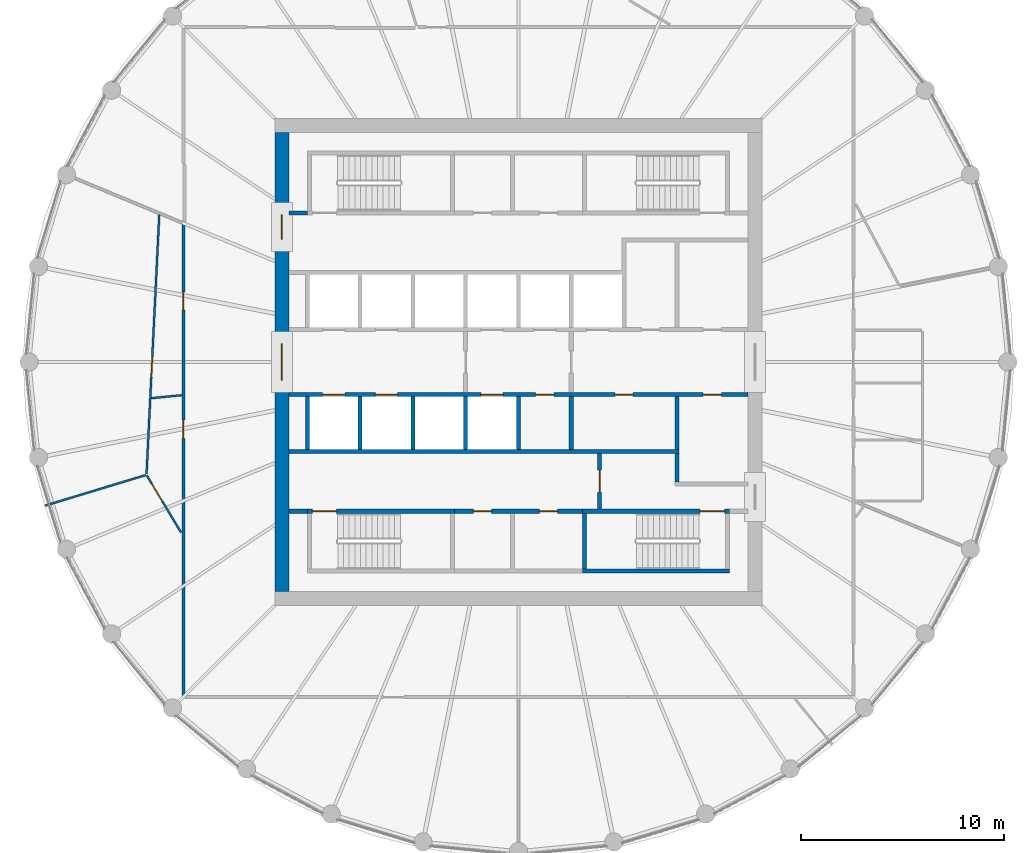
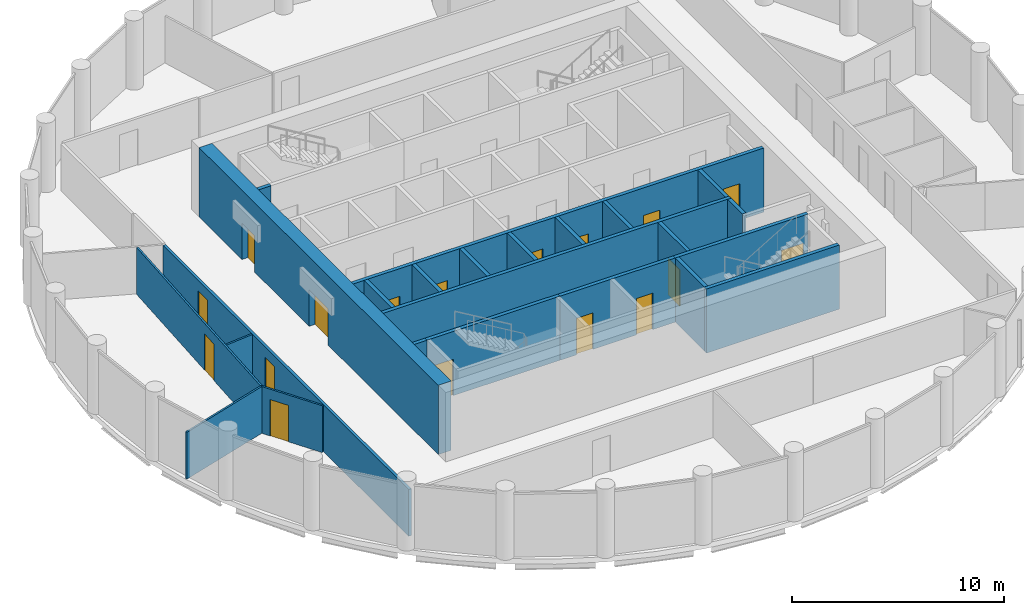
# One storey, part 4 of 7: 24 walls, 17 doors, 17 openings.
"""IFC4 building model written with IfcOpenShell, lengths in metres."""

from ifc_helpers import new_model, si_unit, direction, frame, frame_2d, origin, place, context, subcontext, project, spatial, polyline, rectangle, outline, extrude, material, layer, layer_set, type_object, element, fill, save


model = new_model("IFC4")

# Units and contexts
model_context = context("Model", 3, precision=1e-05, world=origin(), true_north=direction((0.0, 1.0)))
body_context = subcontext(model_context, "Body", "Model", "MODEL_VIEW")
ifc_project = project(units=[si_unit("LENGTHUNIT", "METRE"), si_unit("AREAUNIT", "SQUARE_METRE"), si_unit("VOLUMEUNIT", "CUBIC_METRE"), si_unit("PLANEANGLEUNIT", "RADIAN"), si_unit("MASSUNIT", "GRAM", prefix="KILO")], contexts=[model_context])

# Site, building, storey
site_placement = place(None, origin())
site = spatial("IfcSite", under=ifc_project, at=site_placement, CompositionType="ELEMENT")
building_placement = place(site_placement, origin())
building = spatial("IfcBuilding", under=site, at=building_placement, Name="Corvane Civic Tower", CompositionType="ELEMENT")
storey_placement = place(building_placement, frame((0.0, 0.0, 307.0)))
storey = spatial("IfcBuildingStorey", under=building, at=storey_placement, Name="L73", CompositionType="ELEMENT", Elevation=307.0)

# Wall, openings, doors
ifc_material_1 = material(Name="Concrete C40/50", Category="concrete")
ifc_layer_1 = layer(ifc_material_1, 0.699951171875)
ifc_layer_set_1 = layer_set([ifc_layer_1], Name="Concrete C40/50")
wall_type_1 = type_object("IfcWallType", Name="CORE WALL 700 C40/50", PredefinedType="SHEAR", material=ifc_layer_set_1)
wall_1_placement = place(storey_placement, frame((-11.64990234375, -11.300048828125, 0.0), z_axis=(0.0, 0.0, 1.0), x_axis=(0.0, 1.0, 0.0)))
wall_1 = element("IfcWall", 1, at=wall_1_placement, inside=storey, type_object=wall_type_1, Name="W-L73-core-W", PredefinedType="SHEAR", context=body_context, shape_type="SweptSolid", body=[
    extrude(rectangle(XDim=22.60009765625, YDim=0.699951171875, at=frame_2d((11.300048828125, 0.0))), origin(), (0.0, 0.0, 1.0), 4.0),
])
opening_1_placement = place(wall_1_placement, frame((10.39990234375, 0.0, 0.0)))
opening_1 = element("IfcOpeningElement", 2, at=opening_1_placement, cuts=wall_1, Name="Opening L73.C17", PredefinedType="OPENING", context=body_context, shape_type="SweptSolid", body=[
    extrude(rectangle(XDim=1.800048828125, YDim=2.10009765625, at=frame_2d((0.89990234375, 1.050048828125))), frame((0.0, 0.35986328125, 0.0), z_axis=(0.0, -1.0, 0.0), x_axis=(1.0, 0.0, 0.0)), (0.0, 0.0, 1.0), 0.719970703125),
])
opening_2_placement = place(wall_1_placement, frame((17.35009765625, 0.0, 0.0)))
opening_2 = element("IfcOpeningElement", 3, at=opening_2_placement, cuts=wall_1, Name="Opening L73.C19", PredefinedType="OPENING", context=body_context, shape_type="SweptSolid", body=[
    extrude(rectangle(XDim=1.199951171875, YDim=2.10009765625, at=frame_2d((0.60009765625, 1.050048828125))), frame((0.0, 0.35986328125, 0.0), z_axis=(0.0, -1.0, 0.0), x_axis=(1.0, 0.0, 0.0)), (0.0, 0.0, 1.0), 0.719970703125),
])
ifc_material_2 = material(Name="Steel fire door leaf", Category="steel")
door_type_1 = type_object("IfcDoorType", Name="CR-DOOR-CORE-1800", OperationType="DOUBLE_DOOR_SINGLE_SWING", PredefinedType="DOOR", material=ifc_material_2)
door_1_placement = place(opening_1_placement, origin())
door_1 = element("IfcDoor", 4, at=door_1_placement, inside=storey, type_object=door_type_1, Name="L73 door", OperationType="DOUBLE_DOOR_SINGLE_SWING", OverallHeight=2.10009765625, OverallWidth=1.800048828125, PredefinedType="DOOR", context=body_context, shape_type="SweptSolid", body=[
    extrude(rectangle(XDim=1.800048828125, YDim=2.10009765625, at=frame_2d((0.89990234375, 1.050048828125))), frame((0.0, 0.02490234375, 0.0), z_axis=(0.0, -1.0, 0.0), x_axis=(1.0, 0.0, 0.0)), (0.0, 0.0, 1.0), 0.050048828125),
])
fill(opening_1, door_1)
door_2_placement = place(opening_2_placement, origin())
door_2 = element("IfcDoor", 5, at=door_2_placement, inside=storey, type_object=door_type_1, Name="L73 door", OperationType="DOUBLE_DOOR_SINGLE_SWING", OverallHeight=2.10009765625, OverallWidth=1.199951171875, PredefinedType="DOOR", context=body_context, shape_type="SweptSolid", body=[
    extrude(rectangle(XDim=1.199951171875, YDim=2.10009765625, at=frame_2d((0.60009765625, 1.050048828125))), frame((0.0, 0.02490234375, 0.0), z_axis=(0.0, -1.0, 0.0), x_axis=(1.0, 0.0, 0.0)), (0.0, 0.0, 1.0), 0.050048828125),
])
fill(opening_2, door_2)

ifc_material_3 = material(Name="Concrete C30/37", Category="concrete")
ifc_layer_2 = layer(ifc_material_3, 0.199951171875)
ifc_layer_set_2 = layer_set([ifc_layer_2], Name="Concrete C30/37")
wall_type_2 = type_object("IfcWallType", Name="CR-WALL-200", PredefinedType="PARTITIONING", material=ifc_layer_set_2)
wall_2_placement = place(storey_placement, frame((-3.14990234375, -7.35009765625, 0.0), z_axis=(0.0, 0.0, 1.0), x_axis=(1.0, 0.0, 0.0)))
wall_2 = element("IfcWall", 6, at=wall_2_placement, inside=storey, type_object=wall_type_2, Name="L73 core partition wall", PredefinedType="PARTITIONING", context=body_context, shape_type="SweptSolid", body=[
    extrude(rectangle(XDim=6.2998046875, YDim=0.199951171875, at=frame_2d((3.14990234375, 0.0))), origin(), (0.0, 0.0, 1.0), 3.699951171875),
])
opening_3_placement = place(wall_2_placement, frame((0.925048828125, 0.0, 0.0)))
opening_3 = element("IfcOpeningElement", 7, at=opening_3_placement, cuts=wall_2, Name="Opening L73.C08", PredefinedType="OPENING", context=body_context, shape_type="SweptSolid", body=[
    extrude(rectangle(XDim=0.89990234375, YDim=2.10009765625, at=frame_2d((0.449951171875, 1.050048828125))), frame((0.0, 0.10986328125, 0.0), z_axis=(0.0, -1.0, 0.0), x_axis=(1.0, 0.0, 0.0)), (0.0, 0.0, 1.0), 0.219970703125),
])
opening_4_placement = place(wall_2_placement, frame((4.175048828125, 0.0, 0.0)))
opening_4 = element("IfcOpeningElement", 8, at=opening_4_placement, cuts=wall_2, Name="Opening L73.C09", PredefinedType="OPENING", context=body_context, shape_type="SweptSolid", body=[
    extrude(rectangle(XDim=0.89990234375, YDim=2.10009765625, at=frame_2d((0.449951171875, 1.050048828125))), frame((0.0, 0.10986328125, 0.0), z_axis=(0.0, -1.0, 0.0), x_axis=(1.0, 0.0, 0.0)), (0.0, 0.0, 1.0), 0.219970703125),
])
ifc_material_4 = material(Name="Steel fire door leaf", Category="steel")
door_type_2 = type_object("IfcDoorType", Name="CR-DOOR-900", OperationType="SINGLE_SWING_LEFT", PredefinedType="DOOR", material=ifc_material_4)
door_3_placement = place(opening_3_placement, origin())
door_3 = element("IfcDoor", 9, at=door_3_placement, inside=storey, type_object=door_type_2, Name="L73 door", OperationType="SINGLE_SWING_LEFT", OverallHeight=2.10009765625, OverallWidth=0.89990234375, PredefinedType="DOOR", context=body_context, shape_type="SweptSolid", body=[
    extrude(rectangle(XDim=0.89990234375, YDim=2.10009765625, at=frame_2d((0.449951171875, 1.050048828125))), frame((0.0, 0.02490234375, 0.0), z_axis=(0.0, -1.0, 0.0), x_axis=(1.0, 0.0, 0.0)), (0.0, 0.0, 1.0), 0.050048828125),
])
fill(opening_3, door_3)
door_4_placement = place(opening_4_placement, origin())
door_4 = element("IfcDoor", 10, at=door_4_placement, inside=storey, type_object=door_type_2, Name="L73 door", OperationType="SINGLE_SWING_LEFT", OverallHeight=2.10009765625, OverallWidth=0.89990234375, PredefinedType="DOOR", context=body_context, shape_type="SweptSolid", body=[
    extrude(rectangle(XDim=0.89990234375, YDim=2.10009765625, at=frame_2d((0.449951171875, 1.050048828125))), frame((0.0, 0.02490234375, 0.0), z_axis=(0.0, -1.0, 0.0), x_axis=(1.0, 0.0, 0.0)), (0.0, 0.0, 1.0), 0.050048828125),
])
fill(opening_4, door_4)

wall_3_placement = place(storey_placement, frame((-11.300048828125, -1.60009765625, 0.0), z_axis=(0.0, 0.0, 1.0), x_axis=(1.0, 0.0, 0.0)))
wall_3 = element("IfcWall", 11, at=wall_3_placement, inside=storey, type_object=wall_type_2, Name="L73 lift shaft wall", PredefinedType="PARTITIONING", context=body_context, shape_type="SweptSolid", body=[
    extrude(rectangle(XDim=22.60009765625, YDim=0.199951171875, at=frame_2d((11.300048828125, 0.0))), origin(), (0.0, 0.0, 1.0), 3.699951171875),
])
opening_5_placement = place(wall_3_placement, frame((1.64990234375, 0.0, 0.0)))
opening_5 = element("IfcOpeningElement", 12, at=opening_5_placement, cuts=wall_3, Name="Opening LD", PredefinedType="OPENING", context=body_context, shape_type="SweptSolid", body=[
    extrude(rectangle(XDim=1.10009765625, YDim=2.10009765625, at=frame_2d((0.550048828125, 1.050048828125))), frame((0.0, 0.10986328125, 0.0), z_axis=(0.0, -1.0, 0.0), x_axis=(1.0, 0.0, 0.0)), (0.0, 0.0, 1.0), 0.219970703125),
])
opening_6_placement = place(wall_3_placement, frame((4.25, 0.0, 0.0)))
opening_6 = element("IfcOpeningElement", 13, at=opening_6_placement, cuts=wall_3, Name="Opening LD", PredefinedType="OPENING", context=body_context, shape_type="SweptSolid", body=[
    extrude(rectangle(XDim=1.10009765625, YDim=2.10009765625, at=frame_2d((0.550048828125, 1.050048828125))), frame((0.0, 0.10986328125, 0.0), z_axis=(0.0, -1.0, 0.0), x_axis=(1.0, 0.0, 0.0)), (0.0, 0.0, 1.0), 0.219970703125),
])
opening_7_placement = place(wall_3_placement, frame((9.449951171875, 0.0, 0.0)))
opening_7 = element("IfcOpeningElement", 14, at=opening_7_placement, cuts=wall_3, Name="Opening LD", PredefinedType="OPENING", context=body_context, shape_type="SweptSolid", body=[
    extrude(rectangle(XDim=1.10009765625, YDim=2.10009765625, at=frame_2d((0.550048828125, 1.050048828125))), frame((0.0, 0.10986328125, 0.0), z_axis=(0.0, -1.0, 0.0), x_axis=(1.0, 0.0, 0.0)), (0.0, 0.0, 1.0), 0.219970703125),
])
opening_8_placement = place(wall_3_placement, frame((12.14990234375, 0.0, 0.0)))
opening_8 = element("IfcOpeningElement", 15, at=opening_8_placement, cuts=wall_3, Name="Opening L73.C03", PredefinedType="OPENING", context=body_context, shape_type="SweptSolid", body=[
    extrude(rectangle(XDim=0.89990234375, YDim=2.10009765625, at=frame_2d((0.449951171875, 1.050048828125))), frame((0.0, 0.10986328125, 0.0), z_axis=(0.0, -1.0, 0.0), x_axis=(1.0, 0.0, 0.0)), (0.0, 0.0, 1.0), 0.219970703125),
])
opening_9_placement = place(wall_3_placement, frame((16.050048828125, 0.0, 0.0)))
opening_9 = element("IfcOpeningElement", 16, at=opening_9_placement, cuts=wall_3, Name="Opening L73.C04", PredefinedType="OPENING", context=body_context, shape_type="SweptSolid", body=[
    extrude(rectangle(XDim=0.89990234375, YDim=2.10009765625, at=frame_2d((0.449951171875, 1.050048828125))), frame((0.0, 0.10986328125, 0.0), z_axis=(0.0, -1.0, 0.0), x_axis=(1.0, 0.0, 0.0)), (0.0, 0.0, 1.0), 0.219970703125),
])
opening_10_placement = place(wall_3_placement, frame((20.39990234375, 0.0, 0.0)))
opening_10 = element("IfcOpeningElement", 17, at=opening_10_placement, cuts=wall_3, Name="Opening L73.C05", PredefinedType="OPENING", context=body_context, shape_type="SweptSolid", body=[
    extrude(rectangle(XDim=0.89990234375, YDim=2.10009765625, at=frame_2d((0.449951171875, 1.050048828125))), frame((0.0, 0.10986328125, 0.0), z_axis=(0.0, -1.0, 0.0), x_axis=(1.0, 0.0, 0.0)), (0.0, 0.0, 1.0), 0.219970703125),
])
door_5_placement = place(opening_8_placement, origin())
door_5 = element("IfcDoor", 18, at=door_5_placement, inside=storey, type_object=door_type_2, Name="L73 door", OperationType="SINGLE_SWING_LEFT", OverallHeight=2.10009765625, OverallWidth=0.89990234375, PredefinedType="DOOR", context=body_context, shape_type="SweptSolid", body=[
    extrude(rectangle(XDim=0.89990234375, YDim=2.10009765625, at=frame_2d((0.449951171875, 1.050048828125))), frame((0.0, 0.02490234375, 0.0), z_axis=(0.0, -1.0, 0.0), x_axis=(1.0, 0.0, 0.0)), (0.0, 0.0, 1.0), 0.050048828125),
])
fill(opening_8, door_5)
door_6_placement = place(opening_9_placement, origin())
door_6 = element("IfcDoor", 19, at=door_6_placement, inside=storey, type_object=door_type_2, Name="L73 door", OperationType="SINGLE_SWING_LEFT", OverallHeight=2.10009765625, OverallWidth=0.89990234375, PredefinedType="DOOR", context=body_context, shape_type="SweptSolid", body=[
    extrude(rectangle(XDim=0.89990234375, YDim=2.10009765625, at=frame_2d((0.449951171875, 1.050048828125))), frame((0.0, 0.02490234375, 0.0), z_axis=(0.0, -1.0, 0.0), x_axis=(1.0, 0.0, 0.0)), (0.0, 0.0, 1.0), 0.050048828125),
])
fill(opening_9, door_6)
door_7_placement = place(opening_10_placement, origin())
door_7 = element("IfcDoor", 20, at=door_7_placement, inside=storey, type_object=door_type_2, Name="L73 door", OperationType="SINGLE_SWING_LEFT", OverallHeight=2.10009765625, OverallWidth=0.89990234375, PredefinedType="DOOR", context=body_context, shape_type="SweptSolid", body=[
    extrude(rectangle(XDim=0.89990234375, YDim=2.10009765625, at=frame_2d((0.449951171875, 1.050048828125))), frame((0.0, 0.02490234375, 0.0), z_axis=(0.0, -1.0, 0.0), x_axis=(1.0, 0.0, 0.0)), (0.0, 0.0, 1.0), 0.050048828125),
])
fill(opening_10, door_7)
ifc_material_5 = material(Name="Stainless steel 316 door leaves", Category="steel")
door_type_3 = type_object("IfcDoorType", Name="LD", OperationType="DOUBLE_DOOR_SLIDING", PredefinedType="DOOR", material=ifc_material_5)
door_8_placement = place(opening_5_placement, origin())
door_8 = element("IfcDoor", 21, at=door_8_placement, inside=storey, type_object=door_type_3, Name="L73 landing door", OperationType="DOUBLE_DOOR_SLIDING", OverallHeight=2.10009765625, OverallWidth=1.10009765625, PredefinedType="DOOR", context=body_context, shape_type="SweptSolid", body=[
    extrude(rectangle(XDim=1.10009765625, YDim=2.10009765625, at=frame_2d((0.550048828125, 1.050048828125))), frame((0.0, 0.02490234375, 0.0), z_axis=(0.0, -1.0, 0.0), x_axis=(1.0, 0.0, 0.0)), (0.0, 0.0, 1.0), 0.050048828125),
])
fill(opening_5, door_8)
door_9_placement = place(opening_6_placement, origin())
door_9 = element("IfcDoor", 22, at=door_9_placement, inside=storey, type_object=door_type_3, Name="L73 landing door", OperationType="DOUBLE_DOOR_SLIDING", OverallHeight=2.10009765625, OverallWidth=1.10009765625, PredefinedType="DOOR", context=body_context, shape_type="SweptSolid", body=[
    extrude(rectangle(XDim=1.10009765625, YDim=2.10009765625, at=frame_2d((0.550048828125, 1.050048828125))), frame((0.0, 0.02490234375, 0.0), z_axis=(0.0, -1.0, 0.0), x_axis=(1.0, 0.0, 0.0)), (0.0, 0.0, 1.0), 0.050048828125),
])
fill(opening_6, door_9)
door_10_placement = place(opening_7_placement, origin())
door_10 = element("IfcDoor", 23, at=door_10_placement, inside=storey, type_object=door_type_3, Name="L73 landing door", OperationType="DOUBLE_DOOR_SLIDING", OverallHeight=2.10009765625, OverallWidth=1.10009765625, PredefinedType="DOOR", context=body_context, shape_type="SweptSolid", body=[
    extrude(rectangle(XDim=1.10009765625, YDim=2.10009765625, at=frame_2d((0.550048828125, 1.050048828125))), frame((0.0, 0.02490234375, 0.0), z_axis=(0.0, -1.0, 0.0), x_axis=(1.0, 0.0, 0.0)), (0.0, 0.0, 1.0), 0.050048828125),
])
fill(opening_7, door_10)

# Wall, opening, door
wall_4_placement = place(storey_placement, frame((4.0, -7.25, 0.0), z_axis=(0.0, 0.0, 1.0), x_axis=(0.0, 1.0, 0.0)))
wall_4 = element("IfcWall", 24, at=wall_4_placement, inside=storey, type_object=wall_type_2, Name="L73 core partition wall", PredefinedType="PARTITIONING", context=body_context, shape_type="SweptSolid", body=[
    extrude(rectangle(XDim=2.75, YDim=0.199951171875, at=frame_2d((1.375, 0.0))), origin(), (0.0, 0.0, 1.0), 3.699951171875),
])
opening_11_placement = place(wall_4_placement, frame((0.824951171875, 0.0, 0.0)))
opening_11 = element("IfcOpeningElement", 25, at=opening_11_placement, cuts=wall_4, Name="Opening L73.C16", PredefinedType="OPENING", context=body_context, shape_type="SweptSolid", body=[
    extrude(rectangle(XDim=1.10009765625, YDim=2.10009765625, at=frame_2d((0.550048828125, 1.050048828125))), frame((0.0, 0.10986328125, 0.0), z_axis=(0.0, -1.0, 0.0), x_axis=(1.0, 0.0, 0.0)), (0.0, 0.0, 1.0), 0.219970703125),
])
ifc_material_6 = material(Name="Steel fire door leaf", Category="steel")
door_type_4 = type_object("IfcDoorType", Name="CR-DOOR-FFL-1100", OperationType="SINGLE_SWING_LEFT", PredefinedType="DOOR", material=ifc_material_6)
door_11_placement = place(opening_11_placement, origin())
door_11 = element("IfcDoor", 26, at=door_11_placement, inside=storey, type_object=door_type_4, Name="L73 lobby door", OperationType="SINGLE_SWING_LEFT", OverallHeight=2.10009765625, OverallWidth=1.10009765625, PredefinedType="DOOR", context=body_context, shape_type="SweptSolid", body=[
    extrude(rectangle(XDim=1.10009765625, YDim=2.10009765625, at=frame_2d((0.550048828125, 1.050048828125))), frame((0.0, 0.02490234375, 0.0), z_axis=(0.0, -1.0, 0.0), x_axis=(1.0, 0.0, 0.0)), (0.0, 0.0, 1.0), 0.050048828125),
])
fill(opening_11, door_11)

# Walls
wall_5_placement = place(storey_placement, origin())
element("IfcWall", 27, at=wall_5_placement, inside=storey, type_object=wall_type_2, Name="L73 core partition wall", PredefinedType="PARTITIONING", context=body_context, shape_type="SweptSolid", body=[
    extrude(outline(polyline([(7.89990234375, -4.300048828125), (7.89990234375, -4.5), (-11.300048828125, -4.5), (-11.300048828125, -4.300048828125), (7.89990234375, -4.300048828125)])), origin(), (0.0, 0.0, 1.0), 3.699951171875),
])
wall_6_placement = place(storey_placement, origin())
element("IfcWall", 28, at=wall_6_placement, inside=storey, type_object=wall_type_2, Name="L73 core partition wall", PredefinedType="PARTITIONING", context=body_context, shape_type="SweptSolid", body=[
    extrude(outline(polyline([(-2.5, -1.699951171875), (-2.5, -4.2998046875), (-2.699951171875, -4.2998046875), (-2.699951171875, -1.699951171875), (-2.5, -1.699951171875)])), origin(), (0.0, 0.0, 1.0), 3.699951171875),
])
wall_7_placement = place(storey_placement, origin())
element("IfcWall", 29, at=wall_7_placement, inside=storey, type_object=wall_type_2, Name="L73 core partition wall", PredefinedType="PARTITIONING", context=body_context, shape_type="SweptSolid", body=[
    extrude(outline(polyline([(2.699951171875, -1.699951171875), (2.699951171875, -4.2998046875), (2.5, -4.2998046875), (2.5, -1.699951171875), (2.699951171875, -1.699951171875)])), origin(), (0.0, 0.0, 1.0), 3.699951171875),
])
wall_8_placement = place(storey_placement, origin())
element("IfcWall", 30, at=wall_8_placement, inside=storey, type_object=wall_type_2, Name="L73 core partition wall", PredefinedType="PARTITIONING", context=body_context, shape_type="SweptSolid", body=[
    extrude(outline(polyline([(0.10009765625, -1.699951171875), (0.10009765625, -4.2998046875), (-0.10009765625, -4.2998046875), (-0.10009765625, -1.699951171875), (0.10009765625, -1.699951171875)])), origin(), (0.0, 0.0, 1.0), 3.699951171875),
])
wall_9_placement = place(storey_placement, origin())
element("IfcWall", 31, at=wall_9_placement, inside=storey, type_object=wall_type_2, Name="L73 core partition wall", PredefinedType="PARTITIONING", context=body_context, shape_type="SweptSolid", body=[
    extrude(outline(polyline([(-10.300048828125, -1.699951171875), (-10.300048828125, -4.2998046875), (-10.5, -4.2998046875), (-10.5, -1.699951171875), (-10.300048828125, -1.699951171875)])), origin(), (0.0, 0.0, 1.0), 3.699951171875),
])
wall_10_placement = place(storey_placement, origin())
element("IfcWall", 32, at=wall_10_placement, inside=storey, type_object=wall_type_2, Name="L73 core partition wall", PredefinedType="PARTITIONING", context=body_context, shape_type="SweptSolid", body=[
    extrude(outline(polyline([(-7.699951171875, -1.699951171875), (-7.699951171875, -4.2998046875), (-7.89990234375, -4.2998046875), (-7.89990234375, -1.699951171875), (-7.699951171875, -1.699951171875)])), origin(), (0.0, 0.0, 1.0), 3.699951171875),
])
wall_11_placement = place(storey_placement, origin())
element("IfcWall", 33, at=wall_11_placement, inside=storey, type_object=wall_type_2, Name="L73 core partition wall", PredefinedType="PARTITIONING", context=body_context, shape_type="SweptSolid", body=[
    extrude(outline(polyline([(-5.10009765625, -1.699951171875), (-5.10009765625, -4.2998046875), (-5.300048828125, -4.2998046875), (-5.300048828125, -1.699951171875), (-5.10009765625, -1.699951171875)])), origin(), (0.0, 0.0, 1.0), 3.699951171875),
])
wall_12_placement = place(storey_placement, origin())
element("IfcWall", 34, at=wall_12_placement, inside=storey, type_object=wall_type_2, Name="L73 core partition wall", PredefinedType="PARTITIONING", context=body_context, shape_type="SweptSolid", body=[
    extrude(outline(polyline([(7.89990234375, -1.699951171875), (7.89990234375, -4.2998046875), (7.699951171875, -4.2998046875), (7.699951171875, -1.699951171875), (7.89990234375, -1.699951171875)])), origin(), (0.0, 0.0, 1.0), 3.699951171875),
])
wall_13_placement = place(storey_placement, origin())
element("IfcWall", 35, at=wall_13_placement, inside=storey, type_object=wall_type_2, Name="L73 core partition wall", PredefinedType="PARTITIONING", context=body_context, shape_type="SweptSolid", body=[
    extrude(outline(polyline([(7.89990234375, -5.89990234375), (7.699951171875, -5.89990234375), (7.699951171875, -4.5), (7.89990234375, -4.5), (7.89990234375, -5.89990234375)])), origin(), (0.0, 0.0, 1.0), 3.699951171875),
])
wall_14_placement = place(storey_placement, origin())
element("IfcWall", 36, at=wall_14_placement, inside=storey, type_object=wall_type_2, Name="L73 core partition wall", PredefinedType="PARTITIONING", context=body_context, shape_type="SweptSolid", body=[
    extrude(outline(polyline([(-10.39990234375, -7.449951171875), (-11.300048828125, -7.449951171875), (-11.300048828125, -7.25), (-10.39990234375, -7.25), (-10.39990234375, -7.449951171875)])), origin(), (0.0, 0.0, 1.0), 3.699951171875),
])
wall_15_placement = place(storey_placement, origin())
element("IfcWall", 37, at=wall_15_placement, inside=storey, type_object=wall_type_2, Name="L73 core partition wall", PredefinedType="PARTITIONING", context=body_context, shape_type="SweptSolid", body=[
    extrude(outline(polyline([(-10.39990234375, 7.25), (-11.300048828125, 7.25), (-11.300048828125, 7.449951171875), (-10.39990234375, 7.449951171875), (-10.39990234375, 7.25)])), origin(), (0.0, 0.0, 1.0), 3.699951171875),
])

# Wall, opening, door
ifc_material_7 = material(Name="Plasterboard")
ifc_layer_3 = layer(ifc_material_7, 0.10009765625)
ifc_layer_set_3 = layer_set([ifc_layer_3], Name="Plasterboard")
wall_type_3 = type_object("IfcWallType", Name="Partition 100 plasterboard on studs", PredefinedType="PARTITIONING", material=ifc_layer_set_3)
wall_16_placement = place(storey_placement, frame((-18.299560546875, -5.5908203125, 0.0), z_axis=(0.0, 0.0, 1.0), x_axis=(0.514100563047, -0.857729917325, 0.0)))
wall_16 = element("IfcWall", 38, at=wall_16_placement, inside=storey, type_object=wall_type_3, Name="Partition L73.008", PredefinedType="PARTITIONING", context=body_context, shape_type="SweptSolid", body=[
    extrude(rectangle(XDim=3.27099609375, YDim=0.10009765625, at=frame_2d((1.635498046875, 0.0))), origin(), (0.0, 0.0, 1.0), 2.699951171875),
])
opening_12_placement = place(wall_16_placement, frame((0.454833984375, 0.0, 0.0)))
opening_12 = element("IfcOpeningElement", 39, at=opening_12_placement, cuts=wall_16, Name="Opening L73.004", PredefinedType="OPENING", context=body_context, shape_type="SweptSolid", body=[
    extrude(rectangle(XDim=1.0, YDim=2.10009765625, at=frame_2d((0.5, 1.050048828125))), frame((0.0, 0.06005859375, 0.0), z_axis=(0.0, -1.0, 0.0), x_axis=(1.0, 0.0, 0.0)), (0.0, 0.0, 1.0), 0.1201171875),
])
ifc_material_8 = material(Name="Timber", Category="wood")
door_type_5 = type_object("IfcDoorType", Name="Single door 1000", OperationType="NOTDEFINED", PredefinedType="DOOR", material=ifc_material_8)
door_12_placement = place(opening_12_placement, frame((1.0, 0.0, 0.0), z_axis=(0.0, 0.0, 1.0), x_axis=(-1.0, 0.0, 0.0)))
door_12 = element("IfcDoor", 40, at=door_12_placement, inside=storey, type_object=door_type_5, Name="Door L73.004", OperationType="SINGLE_SWING_LEFT", OverallHeight=2.10009765625, OverallWidth=1.0, PredefinedType="DOOR", context=body_context, shape_type="SweptSolid", body=[
    extrude(rectangle(XDim=1.0, YDim=2.10009765625, at=frame_2d((0.5, 1.050048828125))), frame((0.0, 0.02490234375, 0.0), z_axis=(0.0, -1.0, 0.0), x_axis=(1.0, 0.0, 0.0)), (0.0, 0.0, 1.0), 0.050048828125),
])
fill(opening_12, door_12)

# Wall
wall_17_placement = place(storey_placement, frame((-23.3017578125, -7.068603515625, 0.0), z_axis=(0.0, 0.0, 1.0), x_axis=(0.956940122193, 0.290285381197, 0.0)))
element("IfcWall", 41, at=wall_17_placement, inside=storey, type_object=wall_type_3, Name="Partition L73.010", PredefinedType="PARTITIONING", context=body_context, shape_type="SweptSolid", body=[
    extrude(rectangle(XDim=5.167236328125, YDim=0.10009765625, at=frame_2d((2.58349609375, 0.0))), origin(), (0.0, 0.0, 1.0), 2.699951171875),
])

# Wall, opening, door
wall_18_placement = place(storey_placement, frame((-18.31787109375, -5.52197265625, 0.0), z_axis=(0.0, 0.0, 1.0), x_axis=(0.049066652278, 0.998795506415, 0.0)))
wall_18 = element("IfcWall", 42, at=wall_18_placement, inside=storey, type_object=wall_type_3, Name="Partition L73.014", PredefinedType="PARTITIONING", context=body_context, shape_type="SweptSolid", body=[
    extrude(rectangle(XDim=12.79248046875, YDim=0.10009765625, at=frame_2d((6.396240234375, 0.0))), origin(), (0.0, 0.0, 1.0), 2.699951171875),
])
opening_13_placement = place(wall_18_placement, frame((4.78515625, 0.0, 0.0)))
opening_13 = element("IfcOpeningElement", 43, at=opening_13_placement, cuts=wall_18, Name="Opening L73.005", PredefinedType="OPENING", context=body_context, shape_type="SweptSolid", body=[
    extrude(rectangle(XDim=1.0, YDim=2.10009765625, at=frame_2d((0.5, 1.050048828125))), frame((0.0, 0.06005859375, 0.0), z_axis=(0.0, -1.0, 0.0), x_axis=(1.0, 0.0, 0.0)), (0.0, 0.0, 1.0), 0.1201171875),
])
door_13_placement = place(opening_13_placement, origin())
door_13 = element("IfcDoor", 44, at=door_13_placement, inside=storey, type_object=door_type_5, Name="Door L73.005", OperationType="SINGLE_SWING_RIGHT", OverallHeight=2.10009765625, OverallWidth=1.0, PredefinedType="DOOR", context=body_context, shape_type="SweptSolid", body=[
    extrude(rectangle(XDim=1.0, YDim=2.10009765625, at=frame_2d((0.5, 1.050048828125))), frame((0.0, 0.02490234375, 0.0), z_axis=(0.0, -1.0, 0.0), x_axis=(1.0, 0.0, 0.0)), (0.0, 0.0, 1.0), 0.050048828125),
])
fill(opening_13, door_13)

# Wall
wall_19_placement = place(storey_placement, frame((-18.07666015625, -1.780517578125, 0.0), z_axis=(0.0, 0.0, 1.0), x_axis=(0.995182363929, 0.098041126702, 0.0)))
element("IfcWall", 45, at=wall_19_placement, inside=storey, type_object=wall_type_3, Name="Partition L73.016", PredefinedType="PARTITIONING", context=body_context, shape_type="SweptSolid", body=[
    extrude(rectangle(XDim=1.504150390625, YDim=0.10009765625, at=frame_2d((0.751953125, 0.0))), origin(), (0.0, 0.0, 1.0), 2.699951171875),
])

# Wall, opening, door
ifc_material_9 = material(Name="Concrete C50/60", Category="concrete")
ifc_layer_4 = layer(ifc_material_9, 0.199951171875)
ifc_layer_set_4 = layer_set([ifc_layer_4], Name="Concrete C50/60")
wall_type_4 = type_object("IfcWallType", Name="ST-WALL-200", PredefinedType="SHEAR", material=ifc_layer_set_4)
wall_20_placement = place(storey_placement, frame((-10.39990234375, -7.35009765625, 0.0), z_axis=(0.0, 0.0, 1.0), x_axis=(1.0, 0.0, 0.0)))
wall_20 = element("IfcWall", 46, at=wall_20_placement, inside=storey, type_object=wall_type_4, Name="L73 stair enclosure wall", PredefinedType="SHEAR", context=body_context, shape_type="SweptSolid", body=[
    extrude(rectangle(XDim=7.25, YDim=0.199951171875, at=frame_2d((3.625, 0.0))), origin(), (0.0, 0.0, 1.0), 3.699951171875),
])
opening_14_placement = place(wall_20_placement, frame((0.25, 0.0, 0.0)))
opening_14 = element("IfcOpeningElement", 47, at=opening_14_placement, cuts=wall_20, Name="Opening L73.C13", PredefinedType="OPENING", context=body_context, shape_type="SweptSolid", body=[
    extrude(rectangle(XDim=1.199951171875, YDim=2.10009765625, at=frame_2d((0.60009765625, 1.050048828125))), frame((0.0, 0.10986328125, 0.0), z_axis=(0.0, -1.0, 0.0), x_axis=(1.0, 0.0, 0.0)), (0.0, 0.0, 1.0), 0.219970703125),
])
ifc_material_10 = material(Name="Steel fire door leaf", Category="steel")
door_type_6 = type_object("IfcDoorType", Name="ST-DOOR-1200", OperationType="SINGLE_SWING_RIGHT", PredefinedType="DOOR", material=ifc_material_10)
door_14_placement = place(opening_14_placement, origin())
door_14 = element("IfcDoor", 48, at=door_14_placement, inside=storey, type_object=door_type_6, Name="L73 stair door", OperationType="SINGLE_SWING_RIGHT", OverallHeight=2.10009765625, OverallWidth=1.199951171875, PredefinedType="DOOR", context=body_context, shape_type="SweptSolid", body=[
    extrude(rectangle(XDim=1.199951171875, YDim=2.10009765625, at=frame_2d((0.60009765625, 1.050048828125))), frame((0.0, 0.02490234375, 0.0), z_axis=(0.0, -1.0, 0.0), x_axis=(1.0, 0.0, 0.0)), (0.0, 0.0, 1.0), 0.050048828125),
])
fill(opening_14, door_14)

wall_21_placement = place(storey_placement, frame((3.14990234375, -7.35009765625, 0.0), z_axis=(0.0, 0.0, 1.0), x_axis=(1.0, 0.0, 0.0)))
wall_21 = element("IfcWall", 49, at=wall_21_placement, inside=storey, type_object=wall_type_4, Name="L73 stair enclosure wall", PredefinedType="SHEAR", context=body_context, shape_type="SweptSolid", body=[
    extrude(rectangle(XDim=7.25, YDim=0.199951171875, at=frame_2d((3.625, 0.0))), origin(), (0.0, 0.0, 1.0), 3.699951171875),
])
opening_15_placement = place(wall_21_placement, frame((5.800048828125, 0.0, 0.0)))
opening_15 = element("IfcOpeningElement", 50, at=opening_15_placement, cuts=wall_21, Name="Opening L73.C12", PredefinedType="OPENING", context=body_context, shape_type="SweptSolid", body=[
    extrude(rectangle(XDim=1.199951171875, YDim=2.10009765625, at=frame_2d((0.60009765625, 1.050048828125))), frame((0.0, 0.10986328125, 0.0), z_axis=(0.0, -1.0, 0.0), x_axis=(1.0, 0.0, 0.0)), (0.0, 0.0, 1.0), 0.219970703125),
])
door_15_placement = place(opening_15_placement, origin())
door_15 = element("IfcDoor", 51, at=door_15_placement, inside=storey, type_object=door_type_6, Name="L73 stair door", OperationType="SINGLE_SWING_RIGHT", OverallHeight=2.10009765625, OverallWidth=1.199951171875, PredefinedType="DOOR", context=body_context, shape_type="SweptSolid", body=[
    extrude(rectangle(XDim=1.199951171875, YDim=2.10009765625, at=frame_2d((0.60009765625, 1.050048828125))), frame((0.0, 0.02490234375, 0.0), z_axis=(0.0, -1.0, 0.0), x_axis=(1.0, 0.0, 0.0)), (0.0, 0.0, 1.0), 0.050048828125),
])
fill(opening_15, door_15)

# Walls
wall_22_placement = place(storey_placement, origin())
element("IfcWall", 52, at=wall_22_placement, inside=storey, type_object=wall_type_4, Name="L73 stair enclosure wall", PredefinedType="SHEAR", context=body_context, shape_type="SweptSolid", body=[
    extrude(outline(polyline([(10.39990234375, -10.39990234375), (3.14990234375, -10.39990234375), (3.14990234375, -10.199951171875), (10.39990234375, -10.199951171875), (10.39990234375, -10.39990234375)])), origin(), (0.0, 0.0, 1.0), 3.699951171875),
])
wall_23_placement = place(storey_placement, origin())
element("IfcWall", 53, at=wall_23_placement, inside=storey, type_object=wall_type_4, Name="L73 stair enclosure wall", PredefinedType="SHEAR", context=body_context, shape_type="SweptSolid", body=[
    extrude(outline(polyline([(3.35009765625, -7.449951171875), (3.35009765625, -10.199951171875), (3.14990234375, -10.199951171875), (3.14990234375, -7.449951171875), (3.35009765625, -7.449951171875)])), origin(), (0.0, 0.0, 1.0), 3.699951171875),
])

# Wall, openings, doors
ifc_material_11 = material(Name="Plasterboard")
ifc_layer_5 = layer(ifc_material_11, 0.14990234375)
ifc_layer_set_5 = layer_set([ifc_layer_5], Name="Plasterboard")
wall_type_5 = type_object("IfcWallType", Name="Tenancy wall 150 EI 60", PredefinedType="PARTITIONING", material=ifc_layer_set_5)
wall_24_placement = place(storey_placement, frame((-16.5, -16.425048828125, 0.0), z_axis=(0.0, 0.0, 1.0), x_axis=(0.0, 1.0, 0.0)))
wall_24 = element("IfcWall", 54, at=wall_24_placement, inside=storey, type_object=wall_type_5, Name="Partition L73.005", PredefinedType="PARTITIONING", context=body_context, shape_type="SweptSolid", body=[
    extrude(rectangle(XDim=23.20947265625, YDim=0.14990234375, at=frame_2d((11.604736328125, 0.0))), origin(), (0.0, 0.0, 1.0), 2.699951171875),
])
opening_16_placement = place(wall_24_placement, frame((12.666015625, 0.0, 0.0)))
opening_16 = element("IfcOpeningElement", 55, at=opening_16_placement, cuts=wall_24, Name="Opening L73.006", PredefinedType="OPENING", context=body_context, shape_type="SweptSolid", body=[
    extrude(rectangle(XDim=0.89990234375, YDim=2.10009765625, at=frame_2d((0.449951171875, 1.050048828125))), frame((0.0, 0.0849609375, 0.0), z_axis=(0.0, -1.0, 0.0), x_axis=(1.0, 0.0, 0.0)), (0.0, 0.0, 1.0), 0.169921875),
])
opening_17_placement = place(wall_24_placement, frame((18.97802734375, 0.0, 0.0)))
opening_17 = element("IfcOpeningElement", 56, at=opening_17_placement, cuts=wall_24, Name="Opening L73.007", PredefinedType="OPENING", context=body_context, shape_type="SweptSolid", body=[
    extrude(rectangle(XDim=0.89990234375, YDim=2.10009765625, at=frame_2d((0.449951171875, 1.050048828125))), frame((0.0, 0.0849609375, 0.0), z_axis=(0.0, -1.0, 0.0), x_axis=(1.0, 0.0, 0.0)), (0.0, 0.0, 1.0), 0.169921875),
])
ifc_material_12 = material(Name="Steel and timber", Category="steel")
door_type_7 = type_object("IfcDoorType", Name="Fire door FD30S 900", OperationType="NOTDEFINED", PredefinedType="DOOR", material=ifc_material_12)
door_16_placement = place(opening_16_placement, origin())
door_16 = element("IfcDoor", 57, at=door_16_placement, inside=storey, type_object=door_type_7, Name="Door L73.006", OperationType="SINGLE_SWING_LEFT", OverallHeight=2.10009765625, OverallWidth=0.89990234375, PredefinedType="DOOR", context=body_context, shape_type="SweptSolid", body=[
    extrude(rectangle(XDim=0.89990234375, YDim=2.10009765625, at=frame_2d((0.449951171875, 1.050048828125))), frame((0.0, 0.02490234375, 0.0), z_axis=(0.0, -1.0, 0.0), x_axis=(1.0, 0.0, 0.0)), (0.0, 0.0, 1.0), 0.050048828125),
])
fill(opening_16, door_16)
door_17_placement = place(opening_17_placement, origin())
door_17 = element("IfcDoor", 58, at=door_17_placement, inside=storey, type_object=door_type_7, Name="Door L73.007", OperationType="SINGLE_SWING_LEFT", OverallHeight=2.10009765625, OverallWidth=0.89990234375, PredefinedType="DOOR", context=body_context, shape_type="SweptSolid", body=[
    extrude(rectangle(XDim=0.89990234375, YDim=2.10009765625, at=frame_2d((0.449951171875, 1.050048828125))), frame((0.0, 0.02490234375, 0.0), z_axis=(0.0, -1.0, 0.0), x_axis=(1.0, 0.0, 0.0)), (0.0, 0.0, 1.0), 0.050048828125),
])
fill(opening_17, door_17)

save(model, "model.ifc")
